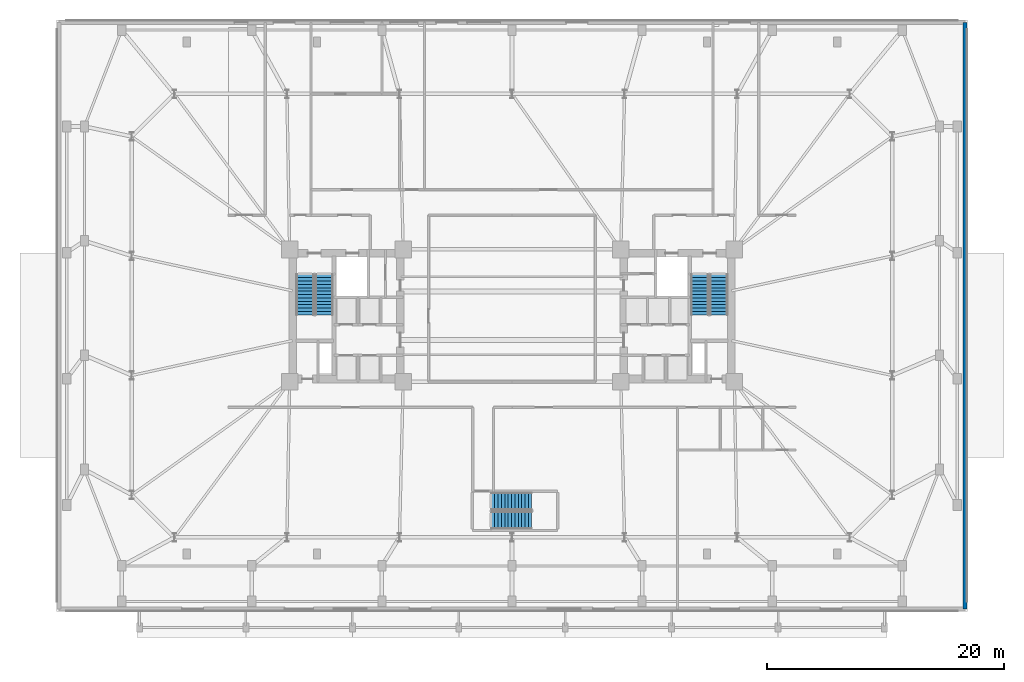
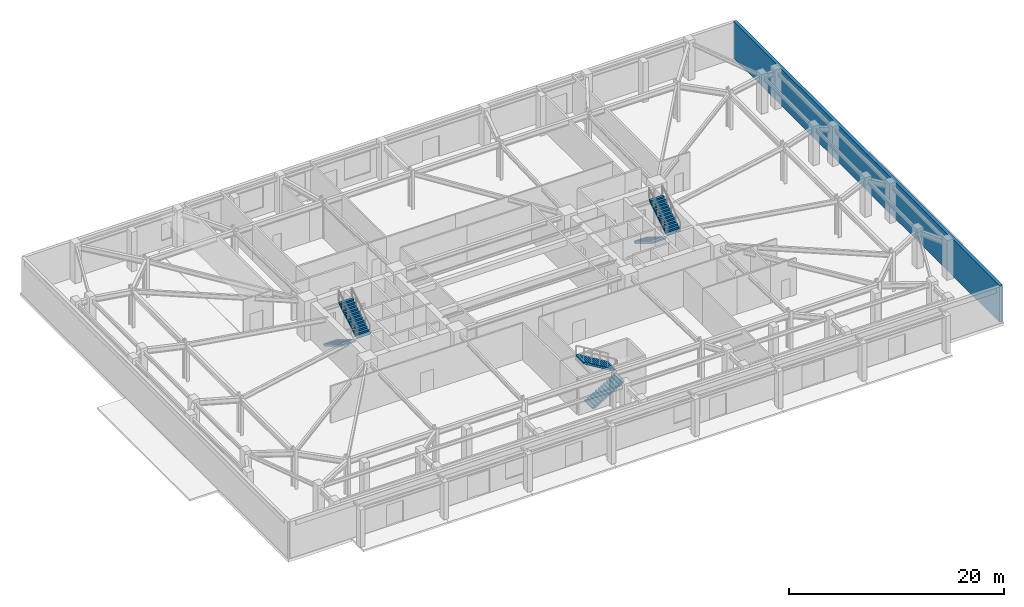
# One storey, part 12 of 18: 6 stair flights, 1 wall, 3 elements without a shape of their own.
"""IFC4 building model written with IfcOpenShell, lengths in metres."""

from ifc_helpers import new_model, si_unit, direction, frame, frame_2d, origin, place, context, subcontext, project, spatial, polyline, rectangle, outline, extrude, material, layer, layer_set, type_object, element, aggregate, save


model = new_model("IFC4")

# Units and contexts
model_context = context("Model", 3, precision=1e-05, world=origin(), true_north=direction((0.0, 1.0)))
body_context = subcontext(model_context, "Body", "Model", "MODEL_VIEW")
ifc_project = project(units=[si_unit("LENGTHUNIT", "METRE"), si_unit("AREAUNIT", "SQUARE_METRE"), si_unit("VOLUMEUNIT", "CUBIC_METRE"), si_unit("PLANEANGLEUNIT", "RADIAN"), si_unit("MASSUNIT", "GRAM", prefix="KILO")], contexts=[model_context])

# Site, building, storey
site_placement = place(None, origin())
site = spatial("IfcSite", under=ifc_project, at=site_placement, CompositionType="ELEMENT")
building_placement = place(site_placement, origin())
building = spatial("IfcBuilding", under=site, at=building_placement, Name="Qobustan Lattice House", CompositionType="ELEMENT")
storey_placement = place(building_placement, origin())
storey = spatial("IfcBuildingStorey", under=building, at=storey_placement, Name="L00", CompositionType="ELEMENT", Elevation=0.0)

# Wall
ifc_material_1 = material(Name="Precast concrete C40/50", Category="concrete")
ifc_layer = layer(ifc_material_1, 0.320068359375)
ifc_layer_set = layer_set([ifc_layer], Name="Precast concrete C40/50")
wall_type = type_object("IfcWallType", Name="WAL-EXT-STONE-320", PredefinedType="SOLIDWALL", material=ifc_layer_set)
wall_placement = place(storey_placement, frame((38.300048828125, 24.800048828125, 0.0), z_axis=(0.0, 0.0, 1.0), x_axis=(0.0, -1.0, 0.0)))
element("IfcWall", 1, at=wall_placement, inside=storey, type_object=wall_type, Name="L00 exterior limestone-clad wall 3", PredefinedType="SOLIDWALL", context=body_context, shape_type="SweptSolid", body=[
    extrude(rectangle(XDim=49.60009765625, YDim=0.320068359375, at=frame_2d((24.800048828125, 0.0))), origin(), (0.0, 0.0, 1.0), 4.169921875),
])

# Stair, stair flights
ifc_material_2 = material(Name="Concrete C40/50", Category="concrete")
stair_type_1 = type_object("IfcStairType", Name="STR-CORE-DOGLEG", PredefinedType="HALF_TURN_STAIR", material=ifc_material_2)
stair_1_placement = place(storey_placement, origin())
stair_1 = element("IfcStair", 2, at=stair_1_placement, inside=storey, type_object=stair_type_1, Name="L00 West protected exit stair ST-W1", PredefinedType="HALF_TURN_STAIR")
ifc_material_3 = material(Name="Concrete C40/50", Category="concrete")
stair_flight_type = type_object("IfcStairFlightType", Name="SFL-RC-1500", PredefinedType="STRAIGHT", material=ifc_material_3)
stair_flight_1_placement = place(storey_placement, frame((-17.5, 3.5, 0.0), z_axis=(0.0, 0.0, 1.0), x_axis=(0.0, -1.0, 0.0)))
stair_flight_1 = element("IfcStairFlight", 3, at=stair_flight_1_placement, type_object=stair_flight_type, Name="ST-W1 flight 1", NumberOfRisers=13, NumberOfTreads=12, PredefinedType="STRAIGHT", RiserHeight=0.173076923, TreadLength=0.285, context=body_context, shape_type="SweptSolid", body=[
    extrude(outline(polyline([(0.0, 0.0), (0.0, 0.173095703125), (0.284912109375, 0.173095703125), (0.284912109375, 0.34619140625), (0.570068359375, 0.34619140625), (0.570068359375, 0.519287109375), (0.85498046875, 0.519287109375), (0.85498046875, 0.6923828125), (1.139892578125, 0.6923828125), (1.139892578125, 0.865478515625), (1.425048828125, 0.865478515625), (1.425048828125, 1.03857421875), (1.7099609375, 1.03857421875), (1.7099609375, 1.21142578125), (1.9951171875, 1.21142578125), (1.9951171875, 1.384521484375), (2.280029296875, 1.384521484375), (2.280029296875, 1.5576171875), (2.56494140625, 1.5576171875), (2.56494140625, 1.730712890625), (2.85009765625, 1.730712890625), (2.85009765625, 1.90380859375), (3.135009765625, 1.90380859375), (3.135009765625, 2.076904296875), (3.419921875, 2.076904296875), (3.419921875, 2.25), (3.419921875, 1.901611328125), (0.288818359375, 0.0), (0.0, 0.0)])), frame((0.0, 0.75, 0.0), z_axis=(0.0, -1.0, 0.0), x_axis=(1.0, 0.0, 0.0)), (0.0, 0.0, 1.0), 1.5),
])
stair_flight_2_placement = place(storey_placement, frame((-15.8798828125, 0.080078125, 2.25), z_axis=(0.0, 0.0, 1.0), x_axis=(0.0, 1.0, 0.0)))
stair_flight_2 = element("IfcStairFlight", 4, at=stair_flight_2_placement, type_object=stair_flight_type, Name="ST-W1 flight 2", NumberOfRisers=13, NumberOfTreads=12, PredefinedType="STRAIGHT", RiserHeight=0.173076923, TreadLength=0.285, context=body_context, shape_type="SweptSolid", body=[
    extrude(outline(polyline([(0.0, 0.0), (0.0, 0.173095703125), (0.284912109375, 0.173095703125), (0.284912109375, 0.34619140625), (0.570068359375, 0.34619140625), (0.570068359375, 0.519287109375), (0.85498046875, 0.519287109375), (0.85498046875, 0.6923828125), (1.139892578125, 0.6923828125), (1.139892578125, 0.865478515625), (1.425048828125, 0.865478515625), (1.425048828125, 1.03857421875), (1.7099609375, 1.03857421875), (1.7099609375, 1.21142578125), (1.9951171875, 1.21142578125), (1.9951171875, 1.384521484375), (2.280029296875, 1.384521484375), (2.280029296875, 1.5576171875), (2.56494140625, 1.5576171875), (2.56494140625, 1.730712890625), (2.85009765625, 1.730712890625), (2.85009765625, 1.90380859375), (3.135009765625, 1.90380859375), (3.135009765625, 2.076904296875), (3.419921875, 2.076904296875), (3.419921875, 2.25), (3.419921875, 1.901611328125), (0.288818359375, 0.0), (0.0, 0.0)])), frame((0.0, 0.75, 0.0), z_axis=(0.0, -1.0, 0.0), x_axis=(1.0, 0.0, 0.0)), (0.0, 0.0, 1.0), 1.5),
])
aggregate(stair_1, [stair_flight_1, stair_flight_2])

stair_2_placement = place(storey_placement, origin())
stair_2 = element("IfcStair", 5, at=stair_2_placement, inside=storey, type_object=stair_type_1, Name="L00 East protected exit stair ST-E1", PredefinedType="HALF_TURN_STAIR")
stair_flight_3_placement = place(storey_placement, frame((15.8798828125, 3.5, 0.0), z_axis=(0.0, 0.0, 1.0), x_axis=(0.0, -1.0, 0.0)))
stair_flight_3 = element("IfcStairFlight", 6, at=stair_flight_3_placement, type_object=stair_flight_type, Name="ST-E1 flight 1", NumberOfRisers=13, NumberOfTreads=12, PredefinedType="STRAIGHT", RiserHeight=0.173076923, TreadLength=0.285, context=body_context, shape_type="SweptSolid", body=[
    extrude(outline(polyline([(0.0, 0.0), (0.0, 0.173095703125), (0.284912109375, 0.173095703125), (0.284912109375, 0.34619140625), (0.570068359375, 0.34619140625), (0.570068359375, 0.519287109375), (0.85498046875, 0.519287109375), (0.85498046875, 0.6923828125), (1.139892578125, 0.6923828125), (1.139892578125, 0.865478515625), (1.425048828125, 0.865478515625), (1.425048828125, 1.03857421875), (1.7099609375, 1.03857421875), (1.7099609375, 1.21142578125), (1.9951171875, 1.21142578125), (1.9951171875, 1.384521484375), (2.280029296875, 1.384521484375), (2.280029296875, 1.5576171875), (2.56494140625, 1.5576171875), (2.56494140625, 1.730712890625), (2.85009765625, 1.730712890625), (2.85009765625, 1.90380859375), (3.135009765625, 1.90380859375), (3.135009765625, 2.076904296875), (3.419921875, 2.076904296875), (3.419921875, 2.25), (3.419921875, 1.901611328125), (0.288818359375, 0.0), (0.0, 0.0)])), frame((0.0, 0.75, 0.0), z_axis=(0.0, -1.0, 0.0), x_axis=(1.0, 0.0, 0.0)), (0.0, 0.0, 1.0), 1.5),
])
stair_flight_4_placement = place(storey_placement, frame((17.5, 0.080078125, 2.25), z_axis=(0.0, 0.0, 1.0), x_axis=(0.0, 1.0, 0.0)))
stair_flight_4 = element("IfcStairFlight", 7, at=stair_flight_4_placement, type_object=stair_flight_type, Name="ST-E1 flight 2", NumberOfRisers=13, NumberOfTreads=12, PredefinedType="STRAIGHT", RiserHeight=0.173076923, TreadLength=0.285, context=body_context, shape_type="SweptSolid", body=[
    extrude(outline(polyline([(0.0, 0.0), (0.0, 0.173095703125), (0.284912109375, 0.173095703125), (0.284912109375, 0.34619140625), (0.570068359375, 0.34619140625), (0.570068359375, 0.519287109375), (0.85498046875, 0.519287109375), (0.85498046875, 0.6923828125), (1.139892578125, 0.6923828125), (1.139892578125, 0.865478515625), (1.425048828125, 0.865478515625), (1.425048828125, 1.03857421875), (1.7099609375, 1.03857421875), (1.7099609375, 1.21142578125), (1.9951171875, 1.21142578125), (1.9951171875, 1.384521484375), (2.280029296875, 1.384521484375), (2.280029296875, 1.5576171875), (2.56494140625, 1.5576171875), (2.56494140625, 1.730712890625), (2.85009765625, 1.730712890625), (2.85009765625, 1.90380859375), (3.135009765625, 1.90380859375), (3.135009765625, 2.076904296875), (3.419921875, 2.076904296875), (3.419921875, 2.25), (3.419921875, 1.901611328125), (0.288818359375, 0.0), (0.0, 0.0)])), frame((0.0, 0.75, 0.0), z_axis=(0.0, -1.0, 0.0), x_axis=(1.0, 0.0, 0.0)), (0.0, 0.0, 1.0), 1.5),
])
aggregate(stair_2, [stair_flight_3, stair_flight_4])

ifc_material_4 = material(Name="Concrete C40/50", Category="concrete")
stair_type_2 = type_object("IfcStairType", Name="STR-POD-DOGLEG", PredefinedType="DOUBLE_RETURN_STAIR", material=ifc_material_4)
stair_3_placement = place(storey_placement, origin())
stair_3 = element("IfcStair", 8, at=stair_3_placement, inside=storey, type_object=stair_type_2, Name="L00 Podium garden exit stair ST-P1", PredefinedType="DOUBLE_RETURN_STAIR")
stair_flight_5_placement = place(storey_placement, frame((-1.75, -17.31005859375, 0.0), z_axis=(0.0, 0.0, 1.0), x_axis=(1.0, 0.0, 0.0)))
stair_flight_5 = element("IfcStairFlight", 9, at=stair_flight_5_placement, type_object=stair_flight_type, Name="ST-P1 flight 1", NumberOfRisers=13, NumberOfTreads=12, PredefinedType="STRAIGHT", RiserHeight=0.173076923, TreadLength=0.285, context=body_context, shape_type="SweptSolid", body=[
    extrude(outline(polyline([(0.0, 0.0), (0.0, 0.173095703125), (0.284912109375, 0.173095703125), (0.284912109375, 0.34619140625), (0.570068359375, 0.34619140625), (0.570068359375, 0.519287109375), (0.85498046875, 0.519287109375), (0.85498046875, 0.6923828125), (1.139892578125, 0.6923828125), (1.139892578125, 0.865478515625), (1.425048828125, 0.865478515625), (1.425048828125, 1.03857421875), (1.7099609375, 1.03857421875), (1.7099609375, 1.21142578125), (1.9951171875, 1.21142578125), (1.9951171875, 1.384521484375), (2.280029296875, 1.384521484375), (2.280029296875, 1.5576171875), (2.56494140625, 1.5576171875), (2.56494140625, 1.730712890625), (2.85009765625, 1.730712890625), (2.85009765625, 1.90380859375), (3.135009765625, 1.90380859375), (3.135009765625, 2.076904296875), (3.419921875, 2.076904296875), (3.419921875, 2.25), (3.419921875, 1.901611328125), (0.288818359375, 0.0), (0.0, 0.0)])), frame((0.0, 0.75, 0.0), z_axis=(0.0, -1.0, 0.0), x_axis=(1.0, 0.0, 0.0)), (0.0, 0.0, 1.0), 1.5),
])
stair_flight_6_placement = place(storey_placement, frame((1.669921875, -15.68994140625, 2.25), z_axis=(0.0, 0.0, 1.0), x_axis=(-1.0, 0.0, 0.0)))
stair_flight_6 = element("IfcStairFlight", 10, at=stair_flight_6_placement, type_object=stair_flight_type, Name="ST-P1 flight 2", NumberOfRisers=13, NumberOfTreads=12, PredefinedType="STRAIGHT", RiserHeight=0.173076923, TreadLength=0.285, context=body_context, shape_type="SweptSolid", body=[
    extrude(outline(polyline([(0.0, 0.0), (0.0, 0.173095703125), (0.284912109375, 0.173095703125), (0.284912109375, 0.34619140625), (0.570068359375, 0.34619140625), (0.570068359375, 0.519287109375), (0.85498046875, 0.519287109375), (0.85498046875, 0.6923828125), (1.139892578125, 0.6923828125), (1.139892578125, 0.865478515625), (1.425048828125, 0.865478515625), (1.425048828125, 1.03857421875), (1.7099609375, 1.03857421875), (1.7099609375, 1.21142578125), (1.9951171875, 1.21142578125), (1.9951171875, 1.384521484375), (2.280029296875, 1.384521484375), (2.280029296875, 1.5576171875), (2.56494140625, 1.5576171875), (2.56494140625, 1.730712890625), (2.85009765625, 1.730712890625), (2.85009765625, 1.90380859375), (3.135009765625, 1.90380859375), (3.135009765625, 2.076904296875), (3.419921875, 2.076904296875), (3.419921875, 2.25), (3.419921875, 1.901611328125), (0.288818359375, 0.0), (0.0, 0.0)])), frame((0.0, 0.75, 0.0), z_axis=(0.0, -1.0, 0.0), x_axis=(1.0, 0.0, 0.0)), (0.0, 0.0, 1.0), 1.5),
])
aggregate(stair_3, [stair_flight_5, stair_flight_6])

save(model, "model.ifc")
